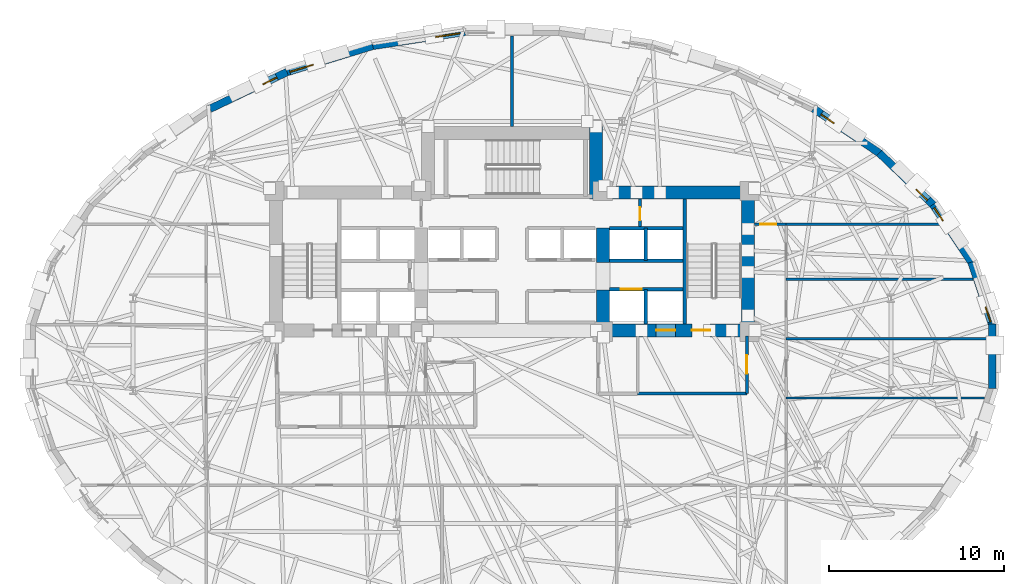
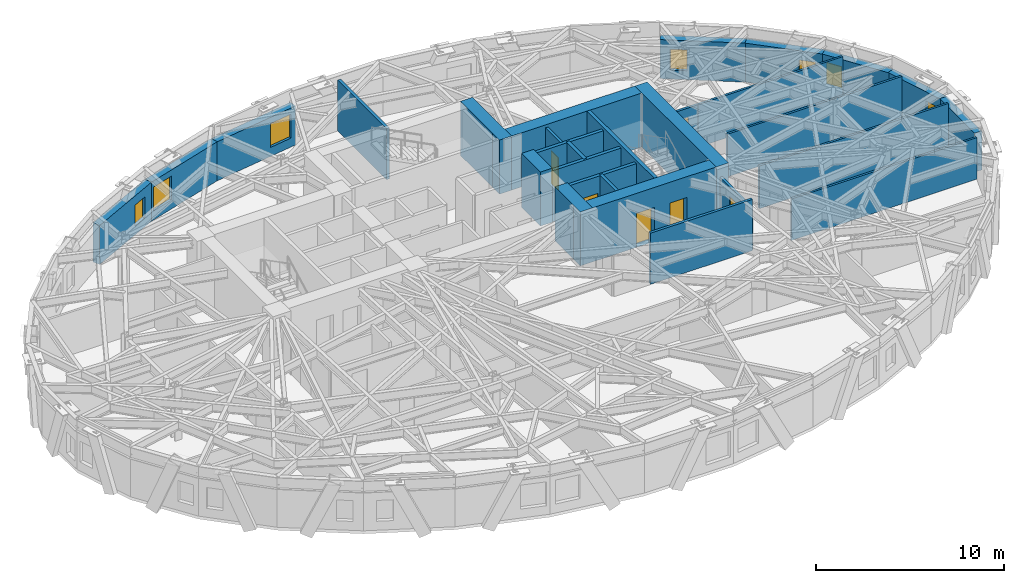
# One storey, part 9 of 14: 29 walls, 7 windows, 6 doors, 13 openings.
"""IFC4 building model written with IfcOpenShell, lengths in metres."""

from ifc_helpers import new_model, si_unit, direction, frame, frame_2d, origin, place, context, subcontext, project, spatial, rectangle, extrude, material, layer, layer_set, type_object, element, fill, save


model = new_model("IFC4")

# Units and contexts
model_context = context("Model", 3, precision=1e-05, world=origin(), true_north=direction((0.0, 1.0)))
body_context = subcontext(model_context, "Body", "Model", "MODEL_VIEW")
ifc_project = project(units=[si_unit("LENGTHUNIT", "METRE"), si_unit("AREAUNIT", "SQUARE_METRE"), si_unit("VOLUMEUNIT", "CUBIC_METRE"), si_unit("PLANEANGLEUNIT", "RADIAN"), si_unit("MASSUNIT", "GRAM", prefix="KILO")], contexts=[model_context])

# Site, building, storey
site_placement = place(None, origin())
site = spatial("IfcSite", under=ifc_project, at=site_placement, CompositionType="ELEMENT")
building_placement = place(site_placement, origin())
building = spatial("IfcBuilding", under=site, at=building_placement, Name="Keldmark Tower", CompositionType="ELEMENT")
storey_placement = place(building_placement, frame((0.0, 0.0, 107.10009765625)))
storey = spatial("IfcBuildingStorey", under=building, at=storey_placement, Name="L28", CompositionType="ELEMENT", Elevation=107.10009765625)

# Wall, opening, door
ifc_material_1 = material(Name="Acoustic Double-Layer Gypsum Corridor Partition", Category="gypsum")
ifc_layer_1 = layer(ifc_material_1, 0.139892578125)
ifc_layer_set_1 = layer_set([ifc_layer_1], Name="Acoustic Double-Layer Gypsum Corridor Partition")
wall_type_1 = type_object("IfcWallType", Name="Acoustic Corridor Partition 140 mm", PredefinedType="PARTITIONING", material=ifc_layer_set_1)
wall_1_placement = place(storey_placement, frame((13.89990234375, 7.550048828125, 0.0), z_axis=(0.0, 0.0, 1.0), x_axis=(1.0, 0.0, 0.0)))
wall_1 = element("IfcWall", 1, at=wall_1_placement, inside=storey, type_object=wall_type_1, Name="L28 Acoustic Corridor Partition 140 mm COR-EN-CAP", PredefinedType="PARTITIONING", context=body_context, shape_type="SweptSolid", body=[
    extrude(rectangle(XDim=1.800048828125, YDim=0.139892578125, at=frame_2d((0.89990234375, 0.0))), origin(), (0.0, 0.0, 1.0), 2.762939453125),
])
opening_1_placement = place(wall_1_placement, frame((0.320068359375, 0.0, 0.0)))
opening_1 = element("IfcOpeningElement", 2, at=opening_1_placement, cuts=wall_1, Name="Opening D-EX092", PredefinedType="OPENING", context=body_context, shape_type="SweptSolid", body=[
    extrude(rectangle(XDim=0.919921875, YDim=2.14990234375, at=frame_2d((0.4599609375, 1.074951171875))), frame((0.0, 0.079833984375, 0.0), z_axis=(0.0, -1.0, 0.0), x_axis=(1.0, 0.0, 0.0)), (0.0, 0.0, 1.0), 0.159912109375),
])
ifc_material_2 = material(Name="Flush American Ash Executive Office Door", Category="wood")
door_type_1 = type_object("IfcDoorType", Name="Executive Office Door 920x2150", OperationType="NOTDEFINED", PredefinedType="DOOR", material=ifc_material_2)
door_1_placement = place(opening_1_placement, origin())
door_1 = element("IfcDoor", 3, at=door_1_placement, inside=storey, type_object=door_type_1, Name="L28 Executive Office Door 920x2150 D-NRNE-L28", OperationType="SINGLE_SWING_RIGHT", OverallHeight=2.14990234375, OverallWidth=0.919921875, PredefinedType="DOOR", context=body_context, shape_type="SweptSolid", body=[
    extrude(rectangle(XDim=0.919921875, YDim=2.14990234375, at=frame_2d((0.4599609375, 1.074951171875))), frame((0.0, 0.02490234375, 0.0), z_axis=(0.0, -1.0, 0.0), x_axis=(1.0, 0.0, 0.0)), (0.0, 0.0, 1.0), 0.050048828125),
])
fill(opening_1, door_1)

# Walls
ifc_material_3 = material(Name="STC-58 Insulated Tenant Demising Gypsum Partition", Category="gypsum")
ifc_layer_2 = layer(ifc_material_3, 0.175048828125)
ifc_layer_set_2 = layer_set([ifc_layer_2], Name="STC-58 Insulated Tenant Demising Gypsum Partition")
wall_type_2 = type_object("IfcWallType", Name="Demising Suite Partition 175 mm", PredefinedType="PARTITIONING", material=ifc_layer_set_2)
wall_2_placement = place(storey_placement, frame((0.0, 13.14990234375, 0.0), z_axis=(0.0, 0.0, 1.0), x_axis=(0.0, 1.0, 0.0)))
element("IfcWall", 4, at=wall_2_placement, inside=storey, type_object=wall_type_2, Name="L28 Demising Suite Partition 175 mm N-MID-DIV", PredefinedType="PARTITIONING", context=body_context, shape_type="SweptSolid", body=[
    extrude(rectangle(XDim=5.1904296875, YDim=0.175048828125, at=frame_2d((2.59521484375, 0.0))), origin(), (0.0, 0.0, 1.0), 3.309814453125),
])
ifc_material_4 = material(Name="Acoustic Gypsum Board Interior Partition", Category="gypsum")
ifc_layer_3 = layer(ifc_material_4, 0.1298828125)
ifc_layer_set_3 = layer_set([ifc_layer_3], Name="Acoustic Gypsum Board Interior Partition")
wall_type_3 = type_object("IfcWallType", Name="Interior Partition 130 mm", PredefinedType="PARTITIONING", material=ifc_layer_set_3)
wall_3_placement = place(storey_placement, frame((15.699951171875, 7.550048828125, 0.0), z_axis=(0.0, 0.0, 1.0), x_axis=(1.0, 0.0, 0.0)))
element("IfcWall", 5, at=wall_3_placement, inside=storey, type_object=wall_type_3, Name="L28 Interior Partition 130 mm E-CAP-N", PredefinedType="PARTITIONING", context=body_context, shape_type="SweptSolid", body=[
    extrude(rectangle(XDim=8.888671875, YDim=0.1298828125, at=frame_2d((4.4443359375, 0.0))), origin(), (0.0, 0.0, 1.0), 2.762939453125),
])
wall_4_placement = place(storey_placement, frame((15.699951171875, -2.39990234375, 0.0), z_axis=(0.0, 0.0, 1.0), x_axis=(1.0, 0.0, 0.0)))
element("IfcWall", 6, at=wall_4_placement, inside=storey, type_object=wall_type_3, Name="L28 Interior Partition 130 mm E-DIV-1", PredefinedType="PARTITIONING", context=body_context, shape_type="SweptSolid", body=[
    extrude(rectangle(XDim=11.36181640625, YDim=0.1298828125, at=frame_2d((5.680908203125, 0.0))), origin(), (0.0, 0.0, 1.0), 2.68798828125),
])
wall_5_placement = place(storey_placement, frame((15.699951171875, 1.0, 0.0), z_axis=(0.0, 0.0, 1.0), x_axis=(1.0, 0.0, 0.0)))
element("IfcWall", 7, at=wall_5_placement, inside=storey, type_object=wall_type_3, Name="L28 Interior Partition 130 mm E-DIV-2", PredefinedType="PARTITIONING", context=body_context, shape_type="SweptSolid", body=[
    extrude(rectangle(XDim=11.567626953125, YDim=0.1298828125, at=frame_2d((5.78369140625, 0.0))), origin(), (0.0, 0.0, 1.0), 2.762939453125),
])
wall_6_placement = place(storey_placement, frame((15.699951171875, 4.39990234375, 0.0), z_axis=(0.0, 0.0, 1.0), x_axis=(1.0, 0.0, 0.0)))
element("IfcWall", 8, at=wall_6_placement, inside=storey, type_object=wall_type_3, Name="L28 Interior Partition 130 mm E-DIV-3", PredefinedType="PARTITIONING", context=body_context, shape_type="SweptSolid", body=[
    extrude(rectangle(XDim=10.69970703125, YDim=0.1298828125, at=frame_2d((5.349853515625, 0.0))), origin(), (0.0, 0.0, 1.0), 2.762939453125),
])
ifc_material_5 = material(Name="Concrete C70/85", Category="concrete")
ifc_layer_4 = layer(ifc_material_5, 0.75)
ifc_layer_set_4 = layer_set([ifc_layer_4], Name="Concrete C70/85")
wall_type_4 = type_object("IfcWallType", Name="Low-Mid Core Shear Wall 750 mm", PredefinedType="SHEAR", material=ifc_layer_set_4)
wall_7_placement = place(storey_placement, frame((13.52490234375, 1.10009765625, 0.0), z_axis=(0.0, 0.0, 1.0), x_axis=(0.0, 1.0, 0.0)))
element("IfcWall", 9, at=wall_7_placement, inside=storey, type_object=wall_type_4, Name="L28 East Core Outer Shear Wall", PredefinedType="SHEAR", context=body_context, shape_type="SweptSolid", body=[
    extrude(rectangle(XDim=8.64990234375, YDim=0.75, at=frame_2d((4.324951171875, 0.0))), origin(), (0.0, 0.0, 1.0), 3.5),
])
wall_8_placement = place(storey_placement, frame((4.425048828125, 9.375, 0.0), z_axis=(0.0, 0.0, 1.0), x_axis=(1.0, 0.0, 0.0)))
element("IfcWall", 10, at=wall_8_placement, inside=storey, type_object=wall_type_4, Name="L28 East Core North Shear Wall", PredefinedType="SHEAR", context=body_context, shape_type="SweptSolid", body=[
    extrude(rectangle(XDim=9.474853515625, YDim=0.75, at=frame_2d((4.7373046875, 0.0))), origin(), (0.0, 0.0, 1.0), 3.5),
])

# Wall, openings, doors
wall_9_placement = place(storey_placement, frame((13.89990234375, 1.47509765625, 0.0), z_axis=(0.0, 0.0, 1.0), x_axis=(-1.0, 0.0, 0.0)))
wall_9 = element("IfcWall", 11, at=wall_9_placement, inside=storey, type_object=wall_type_4, Name="L28 East Core South Shear Wall", PredefinedType="SHEAR", context=body_context, shape_type="SweptSolid", body=[
    extrude(rectangle(XDim=9.074951171875, YDim=0.75, at=frame_2d((4.53759765625, 0.0))), origin(), (0.0, 0.0, 1.0), 3.5),
])
opening_2_placement = place(wall_9_placement, frame((2.550048828125, 0.0, 0.0)))
opening_2 = element("IfcOpeningElement", 12, at=opening_2_placement, cuts=wall_9, Name="Opening D-ST105", PredefinedType="OPENING", context=body_context, shape_type="SweptSolid", body=[
    extrude(rectangle(XDim=1.050048828125, YDim=2.14990234375, at=frame_2d((0.52490234375, 1.074951171875))), frame((0.0, 0.385009765625, 0.0), z_axis=(0.0, -1.0, 0.0), x_axis=(1.0, 0.0, 0.0)), (0.0, 0.0, 1.0), 0.77001953125),
])
opening_3_placement = place(wall_9_placement, frame((4.550048828125, 0.0, 0.0)))
opening_3 = element("IfcOpeningElement", 13, at=opening_3_placement, cuts=wall_9, Name="Opening LD-110", PredefinedType="OPENING", context=body_context, shape_type="SweptSolid", body=[
    extrude(rectangle(XDim=1.10009765625, YDim=2.199951171875, at=frame_2d((0.550048828125, 1.10009765625))), frame((0.0, 0.385009765625, 0.0), z_axis=(0.0, -1.0, 0.0), x_axis=(1.0, 0.0, 0.0)), (0.0, 0.0, 1.0), 0.77001953125),
])
ifc_material_6 = material(Name="Brushed Bronze Hoistway Sliding Leaf", Category="metal")
door_type_2 = type_object("IfcDoorType", Name="Lift Landing Sliding Door 1100x2200", OperationType="SLIDING_TO_LEFT", PredefinedType="DOOR", material=ifc_material_6)
door_2_placement = place(opening_3_placement, origin())
door_2 = element("IfcDoor", 14, at=door_2_placement, inside=storey, type_object=door_type_2, Name="L28 Lift Landing Sliding Door 1100x2200 LD-EL-FS2-L28", OperationType="SLIDING_TO_LEFT", OverallHeight=2.199951171875, OverallWidth=1.10009765625, PredefinedType="DOOR", context=body_context, shape_type="SweptSolid", body=[
    extrude(rectangle(XDim=1.10009765625, YDim=2.199951171875, at=frame_2d((0.550048828125, 1.10009765625))), frame((0.0, 0.02490234375, 0.0), z_axis=(0.0, -1.0, 0.0), x_axis=(1.0, 0.0, 0.0)), (0.0, 0.0, 1.0), 0.050048828125),
])
fill(opening_3, door_2)
ifc_material_7 = material(Name="Hollow Metal Fire-Rated Door Assembly", Category="metal")
door_type_3 = type_object("IfcDoorType", Name="Stair Fire Door 1050x2150", OperationType="NOTDEFINED", PredefinedType="DOOR", material=ifc_material_7)
door_3_placement = place(opening_2_placement, origin())
door_3 = element("IfcDoor", 15, at=door_3_placement, inside=storey, type_object=door_type_3, Name="L28 Stair Fire Door 1050x2150 D-ST2-L28", OperationType="SINGLE_SWING_LEFT", OverallHeight=2.14990234375, OverallWidth=1.050048828125, PredefinedType="DOOR", context=body_context, shape_type="SweptSolid", body=[
    extrude(rectangle(XDim=1.050048828125, YDim=2.14990234375, at=frame_2d((0.52490234375, 1.074951171875))), frame((0.0, 0.02490234375, 0.0), z_axis=(0.0, -1.0, 0.0), x_axis=(1.0, 0.0, 0.0)), (0.0, 0.0, 1.0), 0.050048828125),
])
fill(opening_2, door_3)

# Walls
wall_10_placement = place(storey_placement, frame((5.199951171875, 1.10009765625, 0.0), z_axis=(0.0, 0.0, 1.0), x_axis=(0.0, 1.0, 0.0)))
element("IfcWall", 16, at=wall_10_placement, inside=storey, type_object=wall_type_4, Name="L28 East Core Inner Shear Pier South", PredefinedType="SHEAR", context=body_context, shape_type="SweptSolid", body=[
    extrude(rectangle(XDim=2.699951171875, YDim=0.75, at=frame_2d((1.35009765625, 0.0))), origin(), (0.0, 0.0, 1.0), 3.5),
])
wall_11_placement = place(storey_placement, frame((5.199951171875, 5.35009765625, 0.0), z_axis=(0.0, 0.0, 1.0), x_axis=(0.0, 1.0, 0.0)))
element("IfcWall", 17, at=wall_11_placement, inside=storey, type_object=wall_type_4, Name="L28 East Core Inner Shear Pier North", PredefinedType="SHEAR", context=body_context, shape_type="SweptSolid", body=[
    extrude(rectangle(XDim=2.0, YDim=0.75, at=frame_2d((1.0, 0.0))), origin(), (0.0, 0.0, 1.0), 3.5),
])
wall_12_placement = place(storey_placement, frame((4.800048828125, 9.0, 0.0), z_axis=(0.0, 0.0, 1.0), x_axis=(0.0, 1.0, 0.0)))
element("IfcWall", 18, at=wall_12_placement, inside=storey, type_object=wall_type_4, Name="L28 North Core East Shear Wall", PredefinedType="SHEAR", context=body_context, shape_type="SweptSolid", body=[
    extrude(rectangle(XDim=4.14990234375, YDim=0.75, at=frame_2d((2.074951171875, 0.0))), origin(), (0.0, 0.0, 1.0), 3.5),
])
ifc_material_8 = material(Name="Type X Fire-Rated Gypsum Partition Assembly", Category="gypsum")
ifc_layer_5 = layer(ifc_material_8, 0.1650390625)
ifc_layer_set_5 = layer_set([ifc_layer_5], Name="Type X Fire-Rated Gypsum Partition Assembly")
wall_type_5 = type_object("IfcWallType", Name="Rated Partition 165 mm", PredefinedType="PARTITIONING", material=ifc_layer_set_5)
wall_13_placement = place(storey_placement, frame((7.199951171875, -2.14990234375, 0.0), z_axis=(0.0, 0.0, 1.0), x_axis=(1.0, 0.0, 0.0)))
element("IfcWall", 19, at=wall_13_placement, inside=storey, type_object=wall_type_5, Name="L28 Rated Partition 165 mm FSAE-E-S", PredefinedType="PARTITIONING", context=body_context, shape_type="SweptSolid", body=[
    extrude(rectangle(XDim=6.25, YDim=0.1650390625, at=frame_2d((3.125, 0.0))), origin(), (0.0, 0.0, 1.0), 3.309814453125),
])

# Wall, opening, door
wall_14_placement = place(storey_placement, frame((13.449951171875, -2.14990234375, 0.0), z_axis=(0.0, 0.0, 1.0), x_axis=(0.0, 1.0, 0.0)))
wall_14 = element("IfcWall", 20, at=wall_14_placement, inside=storey, type_object=wall_type_5, Name="L28 Rated Partition 165 mm FSAE-E-E", PredefinedType="PARTITIONING", context=body_context, shape_type="SweptSolid", body=[
    extrude(rectangle(XDim=3.2998046875, YDim=0.1650390625, at=frame_2d((1.64990234375, 0.0))), origin(), (0.0, 0.0, 1.0), 2.762939453125),
])
opening_4_placement = place(wall_14_placement, frame((1.14990234375, 0.0, 0.0)))
opening_4 = element("IfcOpeningElement", 21, at=opening_4_placement, cuts=wall_14, Name="Opening D-FL105", PredefinedType="OPENING", context=body_context, shape_type="SweptSolid", body=[
    extrude(rectangle(XDim=1.050048828125, YDim=2.14990234375, at=frame_2d((0.52490234375, 1.074951171875))), frame((0.0, 0.092529296875, 0.0), z_axis=(0.0, -1.0, 0.0), x_axis=(1.0, 0.0, 0.0)), (0.0, 0.0, 1.0), 0.18505859375),
])
ifc_material_9 = material(Name="Fire-Rated Mineral-Core Door and Vision Lite", Category="metal")
door_type_4 = type_object("IfcDoorType", Name="Fire Lobby Door 1050x2150", OperationType="NOTDEFINED", PredefinedType="DOOR", material=ifc_material_9)
door_4_placement = place(opening_4_placement, origin())
door_4 = element("IfcDoor", 22, at=door_4_placement, inside=storey, type_object=door_type_4, Name="L28 Fire Lobby Door 1050x2150 D-FSAEE-OUT-L28", OperationType="SINGLE_SWING_LEFT", OverallHeight=2.14990234375, OverallWidth=1.050048828125, PredefinedType="DOOR", context=body_context, shape_type="SweptSolid", body=[
    extrude(rectangle(XDim=1.050048828125, YDim=2.14990234375, at=frame_2d((0.52490234375, 1.074951171875))), frame((0.0, 0.02490234375, 0.0), z_axis=(0.0, -1.0, 0.0), x_axis=(1.0, 0.0, 0.0)), (0.0, 0.0, 1.0), 0.050048828125),
])
fill(opening_4, door_4)

wall_15_placement = place(storey_placement, frame((7.330078125, 7.419921875, 0.0), z_axis=(0.0, 0.0, 1.0), x_axis=(0.0, 1.0, 0.0)))
wall_15 = element("IfcWall", 23, at=wall_15_placement, inside=storey, type_object=wall_type_5, Name="L28 Rated Partition 165 mm CS-NE-W", PredefinedType="PARTITIONING", context=body_context, shape_type="SweptSolid", body=[
    extrude(rectangle(XDim=1.580078125, YDim=0.1650390625, at=frame_2d((0.7900390625, 0.0))), origin(), (0.0, 0.0, 1.0), 3.309814453125),
])
opening_5_placement = place(wall_15_placement, frame((0.35009765625, 0.0, 0.0)))
opening_5 = element("IfcOpeningElement", 24, at=opening_5_placement, cuts=wall_15, Name="Opening D-RS075", PredefinedType="OPENING", context=body_context, shape_type="SweptSolid", body=[
    extrude(rectangle(XDim=0.75, YDim=2.10009765625, at=frame_2d((0.375, 1.050048828125))), frame((0.0, 0.092529296875, 0.0), z_axis=(0.0, -1.0, 0.0), x_axis=(1.0, 0.0, 0.0)), (0.0, 0.0, 1.0), 0.18505859375),
])
ifc_material_10 = material(Name="Galvanized Fire-Rated Access Leaf", Category="metal")
door_type_5 = type_object("IfcDoorType", Name="Riser Access Door 750x2100", OperationType="NOTDEFINED", PredefinedType="DOOR", material=ifc_material_10)
door_5_placement = place(opening_5_placement, origin())
door_5 = element("IfcDoor", 25, at=door_5_placement, inside=storey, type_object=door_type_5, Name="L28 Riser Access Door 750x2100 D-CSNE1-L28", OperationType="SINGLE_SWING_LEFT", OverallHeight=2.10009765625, OverallWidth=0.75, PredefinedType="DOOR", context=body_context, shape_type="SweptSolid", body=[
    extrude(rectangle(XDim=0.75, YDim=2.10009765625, at=frame_2d((0.375, 1.050048828125))), frame((0.0, 0.02490234375, 0.0), z_axis=(0.0, -1.0, 0.0), x_axis=(1.0, 0.0, 0.0)), (0.0, 0.0, 1.0), 0.050048828125),
])
fill(opening_5, door_5)

ifc_material_11 = material(Name="Fire-Resistant Type X Gypsum Shaftliner Coreboard", Category="gypsum")
ifc_layer_6 = layer(ifc_material_11, 0.199951171875)
ifc_layer_set_6 = layer_set([ifc_layer_6], Name="Fire-Resistant Type X Gypsum Shaftliner Coreboard")
wall_type_6 = type_object("IfcWallType", Name="Shaft Wall 200 mm", PredefinedType="SOLIDWALL", material=ifc_layer_set_6)
wall_16_placement = place(storey_placement, frame((5.574951171875, 3.820068359375, 0.0), z_axis=(0.0, 0.0, 1.0), x_axis=(1.0, 0.0, 0.0)))
wall_16 = element("IfcWall", 26, at=wall_16_placement, inside=storey, type_object=wall_type_6, Name="L28 Shaft Wall 200 mm HW-E-S", PredefinedType="SOLIDWALL", context=body_context, shape_type="SweptSolid", body=[
    extrude(rectangle(XDim=4.205078125, YDim=0.199951171875, at=frame_2d((2.1025390625, 0.0))), origin(), (0.0, 0.0, 1.0), 3.309814453125),
])
opening_6_placement = place(wall_16_placement, frame((0.64990234375, 0.0, 0.0)))
opening_6 = element("IfcOpeningElement", 27, at=opening_6_placement, cuts=wall_16, Name="Opening LD-120", PredefinedType="OPENING", context=body_context, shape_type="SweptSolid", body=[
    extrude(rectangle(XDim=1.199951171875, YDim=2.199951171875, at=frame_2d((0.60009765625, 1.10009765625))), frame((0.0, 0.10986328125, 0.0), z_axis=(0.0, -1.0, 0.0), x_axis=(1.0, 0.0, 0.0)), (0.0, 0.0, 1.0), 0.219970703125),
])
ifc_material_12 = material(Name="Heavy-Duty Brushed Metal Hoistway Sliding Leaf", Category="metal")
door_type_6 = type_object("IfcDoorType", Name="Service Lift Sliding Door 1200x2200", OperationType="SLIDING_TO_RIGHT", PredefinedType="DOOR", material=ifc_material_12)
door_6_placement = place(opening_6_placement, origin())
door_6 = element("IfcDoor", 28, at=door_6_placement, inside=storey, type_object=door_type_6, Name="L28 Service Lift Sliding Door 1200x2200 LD-EL-SV1-L28", OperationType="SLIDING_TO_RIGHT", OverallHeight=2.199951171875, OverallWidth=1.199951171875, PredefinedType="DOOR", context=body_context, shape_type="SweptSolid", body=[
    extrude(rectangle(XDim=1.199951171875, YDim=2.199951171875, at=frame_2d((0.60009765625, 1.10009765625))), frame((0.0, 0.02490234375, 0.0), z_axis=(0.0, -1.0, 0.0), x_axis=(1.0, 0.0, 0.0)), (0.0, 0.0, 1.0), 0.050048828125),
])
fill(opening_6, door_6)

# Walls
wall_17_placement = place(storey_placement, frame((7.64990234375, 1.85009765625, 0.0), z_axis=(0.0, 0.0, 1.0), x_axis=(0.0, 1.0, 0.0)))
element("IfcWall", 29, at=wall_17_placement, inside=storey, type_object=wall_type_6, Name="L28 Shaft Wall 200 mm HW-E-M", PredefinedType="SOLIDWALL", context=body_context, shape_type="SweptSolid", body=[
    extrude(rectangle(XDim=1.969970703125, YDim=0.199951171875, at=frame_2d((0.98486328125, 0.0))), origin(), (0.0, 0.0, 1.0), 3.309814453125),
])
for number, where, z_axis, x_axis, name in (
    (30, (5.574951171875, 5.469970703125, 0.0), (0.0, 0.0, 1.0), (1.0, 0.0, 0.0), "L28 Shaft Wall 200 mm HW-E-N"),
    (31, (5.574951171875, 7.330078125, 0.0), (0.0, 0.0, 1.0), (1.0, 0.0, 0.0), "L28 Shaft Wall 200 mm HW-E-TOP"),
):
    element("IfcWall", number, at=place(storey_placement, frame(where, z_axis=z_axis, x_axis=x_axis)), inside=storey, type_object=wall_type_6, Name=name, PredefinedType="SOLIDWALL", context=body_context, shape_type="SweptSolid", body=[
        extrude(rectangle(XDim=4.205078125, YDim=0.199951171875, at=frame_2d((2.1025390625, 0.0))), origin(), (0.0, 0.0, 1.0), 3.309814453125),
    ])
wall_18_placement = place(storey_placement, frame((7.64990234375, 5.469970703125, 0.0), z_axis=(0.0, 0.0, 1.0), x_axis=(0.0, 1.0, 0.0)))
element("IfcWall", 32, at=wall_18_placement, inside=storey, type_object=wall_type_6, Name="L28 Shaft Wall 200 mm HW-E-NM", PredefinedType="SOLIDWALL", context=body_context, shape_type="SweptSolid", body=[
    extrude(rectangle(XDim=1.860107421875, YDim=0.199951171875, at=frame_2d((0.93017578125, 0.0))), origin(), (0.0, 0.0, 1.0), 3.309814453125),
])
ifc_material_13 = material(Name="Concrete C50/60", Category="concrete")
ifc_layer_7 = layer(ifc_material_13, 0.219970703125)
ifc_layer_set_7 = layer_set([ifc_layer_7], Name="Concrete C50/60")
wall_type_7 = type_object("IfcWallType", Name="Stair Core Shear Wall 220 mm", PredefinedType="SHEAR", material=ifc_layer_set_7)
wall_19_placement = place(storey_placement, frame((9.889892578125, 1.85009765625, 0.0), z_axis=(0.0, 0.0, 1.0), x_axis=(0.0, 1.0, 0.0)))
element("IfcWall", 33, at=wall_19_placement, inside=storey, type_object=wall_type_7, Name="L28 East Stair Core Shear Wall", PredefinedType="SHEAR", context=body_context, shape_type="SweptSolid", body=[
    extrude(rectangle(XDim=7.14990234375, YDim=0.219970703125, at=frame_2d((3.574951171875, 0.0))), origin(), (0.0, 0.0, 1.0), 3.5),
])

# Wall, opening, window
ifc_material_14 = material(Name="Ironspot Manganese Brick and Kasota Buff Limestone Spandrel Assembly", Category="masonry")
ifc_layer_8 = layer(ifc_material_14, 0.43994140625)
ifc_layer_set_8 = layer_set([ifc_layer_8], Name="Ironspot Manganese Brick and Kasota Buff Limestone Spandrel Assembly")
wall_type_8 = type_object("IfcWallType", Name="Tower Brick Pier and Spandrel Wall 440 mm", PredefinedType="STANDARD", material=ifc_layer_set_8)
wall_20_placement = place(storey_placement, frame((26.313720703125, 5.385009765625, 0.0), z_axis=(0.0, 0.0, 1.0), x_axis=(0.314316911692, -0.94931811266, 0.0)))
wall_20 = element("IfcWall", 34, at=wall_20_placement, inside=storey, type_object=wall_type_8, Name="L28 Exterior Brick and Spandrel Wall 01", PredefinedType="STANDARD", context=body_context, shape_type="SweptSolid", body=[
    extrude(rectangle(XDim=3.7958984375, YDim=0.43994140625, at=frame_2d((1.89794921875, 0.0))), origin(), (0.0, 0.0, 1.0), 2.52783203125),
])
opening_7_placement = place(wall_20_placement, frame((2.69580078125, 0.0, 0.580078125)))
opening_7 = element("IfcOpeningElement", 35, at=opening_7_placement, cuts=wall_20, Name="Opening W-09", PredefinedType="OPENING", context=body_context, shape_type="SweptSolid", body=[
    extrude(rectangle(XDim=0.89990234375, YDim=1.35009765625, at=frame_2d((0.449951171875, 0.675048828125))), frame((0.0, 0.22998046875, 0.0), z_axis=(0.0, -1.0, 0.0), x_axis=(1.0, 0.0, 0.0)), (0.0, 0.0, 1.0), 0.4599609375),
])
ifc_material_15 = material(Name="Thermally Broken Anodized Aluminum and Triple Low-E Argon Glazing", Category="aluminium")
window_type_1 = type_object("IfcWindowType", Name="Corner Pier Deep-Set Window 900x1350", PartitioningType="SINGLE_PANEL", PredefinedType="WINDOW", material=ifc_material_15)
window_1_placement = place(opening_7_placement, origin())
window_1 = element("IfcWindow", 36, at=window_1_placement, inside=storey, type_object=window_type_1, Name="L28 Deep-Set Window 01", OverallHeight=1.35009765625, OverallWidth=0.89990234375, PartitioningType="SINGLE_PANEL", PredefinedType="WINDOW", context=body_context, shape_type="SweptSolid", body=[
    extrude(rectangle(XDim=0.89990234375, YDim=1.35009765625, at=frame_2d((0.449951171875, 0.675048828125))), frame((0.0, -0.010009765625, 0.0), z_axis=(0.0, -1.0, 0.0), x_axis=(1.0, 0.0, 0.0)), (0.0, 0.0, 1.0), 0.06005859375),
])
fill(opening_7, window_1)

wall_21_placement = place(storey_placement, frame((24.10986328125, 8.680419921875, 0.0), z_axis=(0.0, 0.0, 1.0), x_axis=(0.554293965046, -0.83232097193, 0.0)))
wall_21 = element("IfcWall", 37, at=wall_21_placement, inside=storey, type_object=wall_type_8, Name="L28 Exterior Brick and Spandrel Wall 02", PredefinedType="STANDARD", context=body_context, shape_type="SweptSolid", body=[
    extrude(rectangle(XDim=4.022705078125, YDim=0.43994140625, at=frame_2d((2.01123046875, 0.0))), origin(), (0.0, 0.0, 1.0), 2.52783203125),
])
opening_8_placement = place(wall_21_placement, frame((0.199951171875, 0.0, 0.580078125)))
opening_8 = element("IfcOpeningElement", 38, at=opening_8_placement, cuts=wall_21, Name="Opening W-09", PredefinedType="OPENING", context=body_context, shape_type="SweptSolid", body=[
    extrude(rectangle(XDim=0.89990234375, YDim=1.35009765625, at=frame_2d((0.449951171875, 0.675048828125))), frame((0.0, 0.22998046875, 0.0), z_axis=(0.0, -1.0, 0.0), x_axis=(1.0, 0.0, 0.0)), (0.0, 0.0, 1.0), 0.4599609375),
])
window_2_placement = place(opening_8_placement, origin())
window_2 = element("IfcWindow", 39, at=window_2_placement, inside=storey, type_object=window_type_1, Name="L28 Deep-Set Window 02", OverallHeight=1.35009765625, OverallWidth=0.89990234375, PartitioningType="SINGLE_PANEL", PredefinedType="WINDOW", context=body_context, shape_type="SweptSolid", body=[
    extrude(rectangle(XDim=0.89990234375, YDim=1.35009765625, at=frame_2d((0.449951171875, 0.675048828125))), frame((0.0, -0.010009765625, 0.0), z_axis=(0.0, -1.0, 0.0), x_axis=(1.0, 0.0, 0.0)), (0.0, 0.0, 1.0), 0.06005859375),
])
fill(opening_8, window_2)

wall_22_placement = place(storey_placement, frame((21.037109375, 11.6298828125, 0.0), z_axis=(0.0, 0.0, 1.0), x_axis=(0.720581378362, -0.693370375166, 0.0)))
wall_22 = element("IfcWall", 40, at=wall_22_placement, inside=storey, type_object=wall_type_8, Name="L28 Exterior Brick and Spandrel Wall 03", PredefinedType="STANDARD", context=body_context, shape_type="SweptSolid", body=[
    extrude(rectangle(XDim=4.306640625, YDim=0.43994140625, at=frame_2d((2.1533203125, 0.0))), origin(), (0.0, 0.0, 1.0), 2.52783203125),
])
opening_9_placement = place(wall_22_placement, frame((2.960205078125, 0.0, 0.580078125)))
opening_9 = element("IfcOpeningElement", 41, at=opening_9_placement, cuts=wall_22, Name="Opening W-09", PredefinedType="OPENING", context=body_context, shape_type="SweptSolid", body=[
    extrude(rectangle(XDim=0.89990234375, YDim=1.35009765625, at=frame_2d((0.449951171875, 0.675048828125))), frame((0.0, 0.22998046875, 0.0), z_axis=(0.0, -1.0, 0.0), x_axis=(1.0, 0.0, 0.0)), (0.0, 0.0, 1.0), 0.4599609375),
])
window_3_placement = place(opening_9_placement, origin())
window_3 = element("IfcWindow", 42, at=window_3_placement, inside=storey, type_object=window_type_1, Name="L28 Deep-Set Window 03", OverallHeight=1.35009765625, OverallWidth=0.89990234375, PartitioningType="SINGLE_PANEL", PredefinedType="WINDOW", context=body_context, shape_type="SweptSolid", body=[
    extrude(rectangle(XDim=0.89990234375, YDim=1.35009765625, at=frame_2d((0.449951171875, 0.675048828125))), frame((0.0, -0.010009765625, 0.0), z_axis=(0.0, -1.0, 0.0), x_axis=(1.0, 0.0, 0.0)), (0.0, 0.0, 1.0), 0.06005859375),
])
fill(opening_9, window_3)

wall_23_placement = place(storey_placement, frame((17.266357421875, 14.18212890625, 0.0), z_axis=(0.0, 0.0, 1.0), x_axis=(0.827754551165, -0.56109036975, 0.0)))
wall_23 = element("IfcWall", 43, at=wall_23_placement, inside=storey, type_object=wall_type_8, Name="L28 Exterior Brick and Spandrel Wall 04", PredefinedType="STANDARD", context=body_context, shape_type="SweptSolid", body=[
    extrude(rectangle(XDim=4.590576171875, YDim=0.43994140625, at=frame_2d((2.29541015625, 0.0))), origin(), (0.0, 0.0, 1.0), 2.52783203125),
])
opening_10_placement = place(wall_23_placement, frame((0.549072265625, 0.0, 0.580078125)))
opening_10 = element("IfcOpeningElement", 44, at=opening_10_placement, cuts=wall_23, Name="Opening W-09", PredefinedType="OPENING", context=body_context, shape_type="SweptSolid", body=[
    extrude(rectangle(XDim=0.89990234375, YDim=1.35009765625, at=frame_2d((0.449951171875, 0.675048828125))), frame((0.0, 0.22998046875, 0.0), z_axis=(0.0, -1.0, 0.0), x_axis=(1.0, 0.0, 0.0)), (0.0, 0.0, 1.0), 0.4599609375),
])
window_4_placement = place(opening_10_placement, origin())
window_4 = element("IfcWindow", 45, at=window_4_placement, inside=storey, type_object=window_type_1, Name="L28 Deep-Set Window 04", OverallHeight=1.35009765625, OverallWidth=0.89990234375, PartitioningType="SINGLE_PANEL", PredefinedType="WINDOW", context=body_context, shape_type="SweptSolid", body=[
    extrude(rectangle(XDim=0.89990234375, YDim=1.35009765625, at=frame_2d((0.449951171875, 0.675048828125))), frame((0.0, -0.010009765625, 0.0), z_axis=(0.0, -1.0, 0.0), x_axis=(1.0, 0.0, 0.0)), (0.0, 0.0, 1.0), 0.06005859375),
])
fill(opening_10, window_4)

wall_24_placement = place(storey_placement, frame((-8.012451171875, 17.76220703125, 0.0), z_axis=(0.0, 0.0, 1.0), x_axis=(0.988627497469, 0.150385076545, 0.0)))
wall_24 = element("IfcWall", 46, at=wall_24_placement, inside=storey, type_object=wall_type_8, Name="L28 Exterior Brick and Spandrel Wall 09", PredefinedType="STANDARD", context=body_context, shape_type="SweptSolid", body=[
    extrude(rectangle(XDim=5.376708984375, YDim=0.43994140625, at=frame_2d((2.6884765625, 0.0))), origin(), (0.0, 0.0, 1.0), 2.52783203125),
])
opening_11_placement = place(wall_24_placement, frame((3.677490234375, 0.0, 0.580078125)))
opening_11 = element("IfcOpeningElement", 47, at=opening_11_placement, cuts=wall_24, Name="Opening W-08", PredefinedType="OPENING", context=body_context, shape_type="SweptSolid", body=[
    extrude(rectangle(XDim=1.39990234375, YDim=1.550048828125, at=frame_2d((0.699951171875, 0.77490234375))), frame((0.0, 0.22998046875, 0.0), z_axis=(0.0, -1.0, 0.0), x_axis=(1.0, 0.0, 0.0)), (0.0, 0.0, 1.0), 0.4599609375),
])
ifc_material_16 = material(Name="Thermally Broken Anodized Aluminum and Triple Low-E Argon Glazing", Category="aluminium")
window_type_2 = type_object("IfcWindowType", Name="Residential Corner Punched Window 1400x1550", PartitioningType="SINGLE_PANEL", PredefinedType="WINDOW", material=ifc_material_16)
window_5_placement = place(opening_11_placement, origin())
window_5 = element("IfcWindow", 48, at=window_5_placement, inside=storey, type_object=window_type_2, Name="L28 Deep-Set Window 09", OverallHeight=1.550048828125, OverallWidth=1.39990234375, PartitioningType="SINGLE_PANEL", PredefinedType="WINDOW", context=body_context, shape_type="SweptSolid", body=[
    extrude(rectangle(XDim=1.39990234375, YDim=1.550048828125, at=frame_2d((0.699951171875, 0.77490234375))), frame((0.0, -0.010009765625, 0.0), z_axis=(0.0, -1.0, 0.0), x_axis=(1.0, 0.0, 0.0)), (0.0, 0.0, 1.0), 0.06005859375),
])
fill(opening_11, window_5)

wall_25_placement = place(storey_placement, frame((-12.92041015625, 16.2578125, 0.0), z_axis=(0.0, 0.0, 1.0), x_axis=(0.956228569431, 0.292620783617, 0.0)))
wall_25 = element("IfcWall", 49, at=wall_25_placement, inside=storey, type_object=wall_type_8, Name="L28 Exterior Brick and Spandrel Wall 10", PredefinedType="STANDARD", context=body_context, shape_type="SweptSolid", body=[
    extrude(rectangle(XDim=5.165283203125, YDim=0.43994140625, at=frame_2d((2.58251953125, 0.0))), origin(), (0.0, 0.0, 1.0), 2.52783203125),
])
opening_12_placement = place(wall_25_placement, frame((0.199951171875, 0.0, 0.580078125)))
opening_12 = element("IfcOpeningElement", 50, at=opening_12_placement, cuts=wall_25, Name="Opening W-08", PredefinedType="OPENING", context=body_context, shape_type="SweptSolid", body=[
    extrude(rectangle(XDim=1.39990234375, YDim=1.550048828125, at=frame_2d((0.699951171875, 0.77490234375))), frame((0.0, 0.22998046875, 0.0), z_axis=(0.0, -1.0, 0.0), x_axis=(1.0, 0.0, 0.0)), (0.0, 0.0, 1.0), 0.4599609375),
])
window_6_placement = place(opening_12_placement, origin())
window_6 = element("IfcWindow", 51, at=window_6_placement, inside=storey, type_object=window_type_2, Name="L28 Deep-Set Window 10", OverallHeight=1.550048828125, OverallWidth=1.39990234375, PartitioningType="SINGLE_PANEL", PredefinedType="WINDOW", context=body_context, shape_type="SweptSolid", body=[
    extrude(rectangle(XDim=1.39990234375, YDim=1.550048828125, at=frame_2d((0.699951171875, 0.77490234375))), frame((0.0, -0.010009765625, 0.0), z_axis=(0.0, -1.0, 0.0), x_axis=(1.0, 0.0, 0.0)), (0.0, 0.0, 1.0), 0.06005859375),
])
fill(opening_12, window_6)

wall_26_placement = place(storey_placement, frame((-17.294921875, 14.165771484375, 0.0), z_axis=(0.0, 0.0, 1.0), x_axis=(0.902372757907, 0.430956385018, 0.0)))
wall_26 = element("IfcWall", 52, at=wall_26_placement, inside=storey, type_object=wall_type_8, Name="L28 Exterior Brick and Spandrel Wall 11", PredefinedType="STANDARD", context=body_context, shape_type="SweptSolid", body=[
    extrude(rectangle(XDim=4.881591796875, YDim=0.43994140625, at=frame_2d((2.44091796875, 0.0))), origin(), (0.0, 0.0, 1.0), 2.52783203125),
])
opening_13_placement = place(wall_26_placement, frame((3.333984375, 0.0, 0.580078125)))
opening_13 = element("IfcOpeningElement", 53, at=opening_13_placement, cuts=wall_26, Name="Opening W-09", PredefinedType="OPENING", context=body_context, shape_type="SweptSolid", body=[
    extrude(rectangle(XDim=0.89990234375, YDim=1.35009765625, at=frame_2d((0.449951171875, 0.675048828125))), frame((0.0, 0.22998046875, 0.0), z_axis=(0.0, -1.0, 0.0), x_axis=(1.0, 0.0, 0.0)), (0.0, 0.0, 1.0), 0.4599609375),
])
window_7_placement = place(opening_13_placement, origin())
window_7 = element("IfcWindow", 54, at=window_7_placement, inside=storey, type_object=window_type_1, Name="L28 Deep-Set Window 11", OverallHeight=1.35009765625, OverallWidth=0.89990234375, PartitioningType="SINGLE_PANEL", PredefinedType="WINDOW", context=body_context, shape_type="SweptSolid", body=[
    extrude(rectangle(XDim=0.89990234375, YDim=1.35009765625, at=frame_2d((0.449951171875, 0.675048828125))), frame((0.0, -0.010009765625, 0.0), z_axis=(0.0, -1.0, 0.0), x_axis=(1.0, 0.0, 0.0)), (0.0, 0.0, 1.0), 0.06005859375),
])
fill(opening_13, window_7)

# Wall
wall_27_placement = place(storey_placement, frame((27.49560546875, 1.8505859375, 0.0), z_axis=(0.0, 0.0, 1.0), x_axis=(0.0, -1.0, 0.0)))
element("IfcWall", 55, at=wall_27_placement, inside=storey, type_object=wall_type_8, Name="L28 Exterior Brick and Spandrel Wall 32", PredefinedType="STANDARD", context=body_context, shape_type="SweptSolid", body=[
    extrude(rectangle(XDim=3.701171875, YDim=0.43994140625, at=frame_2d((1.8505859375, 0.0))), origin(), (0.0, 0.0, 1.0), 2.52783203125),
])

save(model, "model.ifc")
